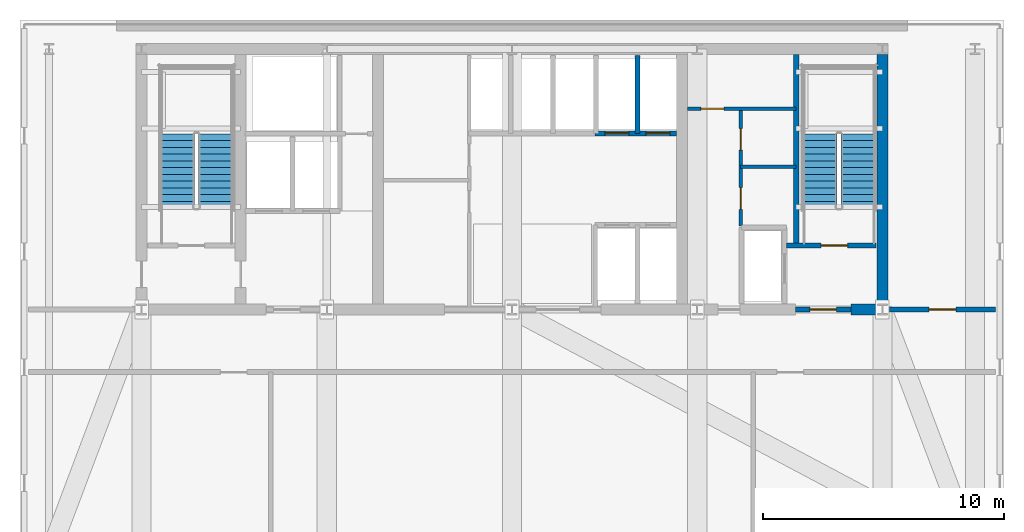
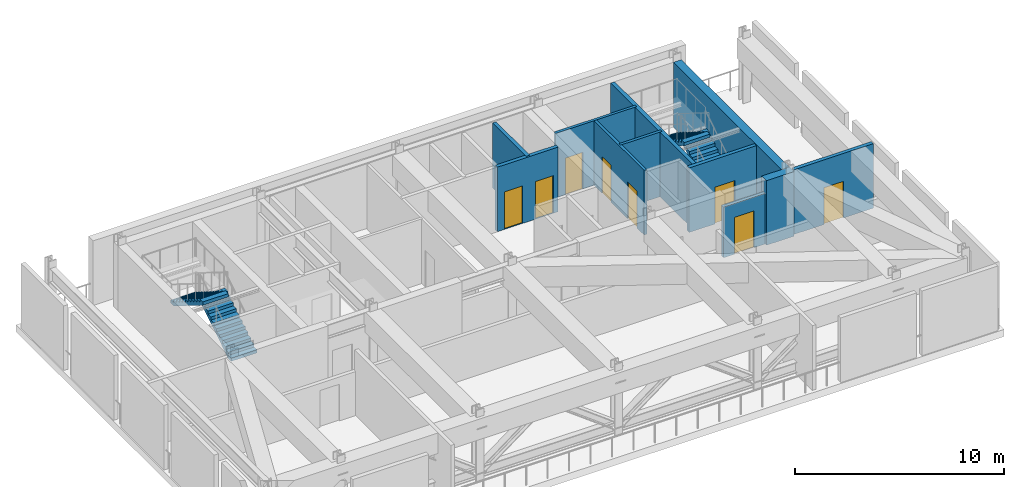
# One storey, part 3 of 8: 11 walls, 8 doors, 4 stair flights, 8 openings, 2 elements without a shape of their own.
"""IFC4 building model written with IfcOpenShell, lengths in metres."""

from ifc_helpers import new_model, si_unit, direction, frame, frame_2d, origin, place, context, subcontext, project, spatial, polyline, rectangle, outline, extrude, material, layer, layer_set, type_object, element, fill, aggregate, save


model = new_model("IFC4")

# Units and contexts
model_context = context("Model", 3, precision=1e-05, world=origin(), true_north=direction((0.0, 1.0)))
body_context = subcontext(model_context, "Body", "Model", "MODEL_VIEW")
ifc_project = project(units=[si_unit("LENGTHUNIT", "METRE"), si_unit("AREAUNIT", "SQUARE_METRE"), si_unit("VOLUMEUNIT", "CUBIC_METRE"), si_unit("PLANEANGLEUNIT", "RADIAN"), si_unit("MASSUNIT", "GRAM", prefix="KILO")], contexts=[model_context])

# Site, building, storey
site_placement = place(None, origin())
site = spatial("IfcSite", under=ifc_project, at=site_placement, CompositionType="ELEMENT")
building_placement = place(site_placement, origin())
building = spatial("IfcBuilding", under=site, at=building_placement, Name="Yelkora Congress Tower", CompositionType="ELEMENT")
storey_placement = place(building_placement, frame((0.0, 0.0, 200.300048828125)))
storey = spatial("IfcBuildingStorey", under=building, at=storey_placement, Name="L55", CompositionType="ELEMENT", Elevation=200.300048828125)

# Walls
ifc_material_1 = material(Name="Concrete C50/60", Category="concrete")
ifc_layer_1 = layer(ifc_material_1, 0.219970703125)
ifc_layer_set_1 = layer_set([ifc_layer_1], Name="Concrete C50/60")
wall_type_1 = type_object("IfcWallType", Name="WALL-CORE-INT-220", PredefinedType="SHEAR", material=ifc_layer_set_1)
wall_1_placement = place(storey_placement, frame((50.179931640625, 38.050048828125, 0.0), z_axis=(0.0, 0.0, 1.0), x_axis=(0.0, 1.0, 0.0)))
element("IfcWall", 1, at=wall_1_placement, inside=storey, type_object=wall_type_1, Name="L55 ST02 West Stair Shear Wall", PredefinedType="SHEAR", context=body_context, shape_type="SweptSolid", body=[
    extrude(rectangle(XDim=7.925048828125, YDim=0.219970703125, at=frame_2d((3.96240234375, 0.0))), origin(), (0.0, 0.0, 1.0), 3.780029296875),
])
ifc_material_2 = material(Name="Concrete C60/75", Category="concrete")
ifc_layer_2 = layer(ifc_material_2, 0.449951171875)
ifc_layer_set_2 = layer_set([ifc_layer_2], Name="Concrete C60/75")
wall_type_2 = type_object("IfcWallType", Name="WALL-CORE-INT-450", PredefinedType="SHEAR", material=ifc_layer_set_2)
wall_2_placement = place(storey_placement, frame((52.449951171875, 35.39990234375, 0.0), z_axis=(0.0, 0.0, 1.0), x_axis=(1.0, 0.0, 0.0)))
element("IfcWall", 2, at=wall_2_placement, inside=storey, type_object=wall_type_2, Name="L55 Rear Core South-East Shear Wall B", PredefinedType="SHEAR", context=body_context, shape_type="SweptSolid", body=[
    extrude(rectangle(XDim=1.53515625, YDim=0.449951171875, at=frame_2d((0.767578125, 0.0))), origin(), (0.0, 0.0, 1.0), 3.780029296875),
])
wall_3_placement = place(storey_placement, frame((53.760009765625, 35.625, 0.0), z_axis=(0.0, 0.0, 1.0), x_axis=(0.0, 1.0, 0.0)))
element("IfcWall", 3, at=wall_3_placement, inside=storey, type_object=wall_type_2, Name="L55 Rear Core Cross Shear Wall E", PredefinedType="SHEAR", context=body_context, shape_type="SweptSolid", body=[
    extrude(rectangle(XDim=10.35009765625, YDim=0.449951171875, at=frame_2d((5.175048828125, 0.0))), origin(), (0.0, 0.0, 1.0), 3.780029296875),
])

# Wall, opening, door
ifc_material_3 = material(Name="Acoustic metal-stud gypsum partition", Category="gypsum")
ifc_layer_3 = layer(ifc_material_3, 0.14990234375)
ifc_layer_set_3 = layer_set([ifc_layer_3], Name="Acoustic metal-stud gypsum partition")
wall_type_3 = type_object("IfcWallType", Name="WALL-INT-150-NR", PredefinedType="PARTITIONING", material=ifc_layer_set_3)
wall_4_placement = place(storey_placement, frame((45.679931640625, 43.719970703125, 0.0), z_axis=(0.0, 0.0, 1.0), x_axis=(1.0, 0.0, 0.0)))
wall_4 = element("IfcWall", 4, at=wall_4_placement, inside=storey, type_object=wall_type_3, Name="L55 Partition Wall 24", PredefinedType="PARTITIONING", context=body_context, shape_type="SweptSolid", body=[
    extrude(rectangle(XDim=4.5, YDim=0.14990234375, at=frame_2d((2.25, 0.0))), origin(), (0.0, 0.0, 1.0), 3.780029296875),
])
opening_1_placement = place(wall_4_placement, frame((0.550048828125, 0.0, 0.0)))
opening_1 = element("IfcOpeningElement", 5, at=opening_1_placement, cuts=wall_4, Name="Opening DR-095N", PredefinedType="OPENING", context=body_context, shape_type="SweptSolid", body=[
    extrude(rectangle(XDim=0.949951171875, YDim=2.14990234375, at=frame_2d((0.47509765625, 1.074951171875))), frame((0.0, 0.0849609375, 0.0), z_axis=(0.0, -1.0, 0.0), x_axis=(1.0, 0.0, 0.0)), (0.0, 0.0, 1.0), 0.169921875),
])
ifc_material_4 = material(Name="Acoustic laminated timber office door", Category="wood")
door_type_1 = type_object("IfcDoorType", Name="DOOR-INT-950", OperationType="NOTDEFINED", PredefinedType="DOOR", material=ifc_material_4)
door_1_placement = place(opening_1_placement, origin())
door_1 = element("IfcDoor", 6, at=door_1_placement, inside=storey, type_object=door_type_1, Name="L55 Accessible WC Door", OperationType="SINGLE_SWING_RIGHT", OverallHeight=2.14990234375, OverallWidth=0.949951171875, PredefinedType="DOOR", context=body_context, shape_type="SweptSolid", body=[
    extrude(rectangle(XDim=0.949951171875, YDim=2.14990234375, at=frame_2d((0.47509765625, 1.074951171875))), frame((0.0, 0.02490234375, 0.0), z_axis=(0.0, -1.0, 0.0), x_axis=(1.0, 0.0, 0.0)), (0.0, 0.0, 1.0), 0.050048828125),
])
fill(opening_1, door_1)

# Wall
wall_5_placement = place(storey_placement, frame((47.8798828125, 41.320068359375, 0.0), z_axis=(0.0, 0.0, 1.0), x_axis=(1.0, 0.0, 0.0)))
element("IfcWall", 7, at=wall_5_placement, inside=storey, type_object=wall_type_3, Name="L55 Partition Wall 25", PredefinedType="PARTITIONING", context=body_context, shape_type="SweptSolid", body=[
    extrude(rectangle(XDim=2.300048828125, YDim=0.14990234375, at=frame_2d((1.14990234375, 0.0))), origin(), (0.0, 0.0, 1.0), 3.780029296875),
])

# Wall, openings, doors
wall_6_placement = place(storey_placement, frame((47.8798828125, 38.85009765625, 0.0), z_axis=(0.0, 0.0, 1.0), x_axis=(0.0, 1.0, 0.0)))
wall_6 = element("IfcWall", 8, at=wall_6_placement, inside=storey, type_object=wall_type_3, Name="L55 Partition Wall 26", PredefinedType="PARTITIONING", context=body_context, shape_type="SweptSolid", body=[
    extrude(rectangle(XDim=4.869873046875, YDim=0.14990234375, at=frame_2d((2.43505859375, 0.0))), origin(), (0.0, 0.0, 1.0), 3.780029296875),
])
opening_2_placement = place(wall_6_placement, frame((0.699951171875, 0.0, 0.0)))
opening_2 = element("IfcOpeningElement", 9, at=opening_2_placement, cuts=wall_6, Name="Opening DR-090N", PredefinedType="OPENING", context=body_context, shape_type="SweptSolid", body=[
    extrude(rectangle(XDim=0.89990234375, YDim=2.14990234375, at=frame_2d((0.449951171875, 1.074951171875))), frame((0.0, 0.0849609375, 0.0), z_axis=(0.0, -1.0, 0.0), x_axis=(1.0, 0.0, 0.0)), (0.0, 0.0, 1.0), 0.169921875),
])
opening_3_placement = place(wall_6_placement, frame((3.14990234375, 0.0, 0.0)))
opening_3 = element("IfcOpeningElement", 10, at=opening_3_placement, cuts=wall_6, Name="Opening DR-090N", PredefinedType="OPENING", context=body_context, shape_type="SweptSolid", body=[
    extrude(rectangle(XDim=0.89990234375, YDim=2.14990234375, at=frame_2d((0.449951171875, 1.074951171875))), frame((0.0, 0.0849609375, 0.0), z_axis=(0.0, -1.0, 0.0), x_axis=(1.0, 0.0, 0.0)), (0.0, 0.0, 1.0), 0.169921875),
])
ifc_material_5 = material(Name="Moisture-resistant laminate door leaf", Category="wood")
door_type_2 = type_object("IfcDoorType", Name="DOOR-INT-900", OperationType="NOTDEFINED", PredefinedType="DOOR", material=ifc_material_5)
door_2_placement = place(opening_2_placement, origin())
door_2 = element("IfcDoor", 11, at=door_2_placement, inside=storey, type_object=door_type_2, Name="L55 Male WC Door", OperationType="SINGLE_SWING_LEFT", OverallHeight=2.14990234375, OverallWidth=0.89990234375, PredefinedType="DOOR", context=body_context, shape_type="SweptSolid", body=[
    extrude(rectangle(XDim=0.89990234375, YDim=2.14990234375, at=frame_2d((0.449951171875, 1.074951171875))), frame((0.0, 0.02490234375, 0.0), z_axis=(0.0, -1.0, 0.0), x_axis=(1.0, 0.0, 0.0)), (0.0, 0.0, 1.0), 0.050048828125),
])
fill(opening_2, door_2)
door_3_placement = place(opening_3_placement, origin())
door_3 = element("IfcDoor", 12, at=door_3_placement, inside=storey, type_object=door_type_2, Name="L55 Female WC Door", OperationType="SINGLE_SWING_RIGHT", OverallHeight=2.14990234375, OverallWidth=0.89990234375, PredefinedType="DOOR", context=body_context, shape_type="SweptSolid", body=[
    extrude(rectangle(XDim=0.89990234375, YDim=2.14990234375, at=frame_2d((0.449951171875, 1.074951171875))), frame((0.0, 0.02490234375, 0.0), z_axis=(0.0, -1.0, 0.0), x_axis=(1.0, 0.0, 0.0)), (0.0, 0.0, 1.0), 0.050048828125),
])
fill(opening_3, door_3)

ifc_material_6 = material(Name="Autoclaved aerated concrete blockwork", Category="masonry")
ifc_layer_4 = layer(ifc_material_6, 0.199951171875)
ifc_layer_set_4 = layer_set([ifc_layer_4], Name="Autoclaved aerated concrete blockwork")
wall_type_4 = type_object("IfcWallType", Name="WALL-INT-200-R120", PredefinedType="PARTITIONING", material=ifc_layer_set_4)
wall_7_placement = place(storey_placement, frame((41.85009765625, 42.699951171875, 0.0), z_axis=(0.0, 0.0, 1.0), x_axis=(1.0, 0.0, 0.0)))
wall_7 = element("IfcWall", 13, at=wall_7_placement, inside=storey, type_object=wall_type_4, Name="L55 Partition Wall 14", PredefinedType="PARTITIONING", context=body_context, shape_type="SweptSolid", body=[
    extrude(rectangle(XDim=3.369873046875, YDim=0.199951171875, at=frame_2d((1.68505859375, 0.0))), origin(), (0.0, 0.0, 1.0), 3.780029296875),
])
opening_4_placement = place(wall_7_placement, frame((0.39990234375, 0.0, 0.0)))
opening_4 = element("IfcOpeningElement", 14, at=opening_4_placement, cuts=wall_7, Name="Opening LD-PS10", PredefinedType="OPENING", context=body_context, shape_type="SweptSolid", body=[
    extrude(rectangle(XDim=1.0, YDim=2.199951171875, at=frame_2d((0.5, 1.10009765625))), frame((0.0, 0.10986328125, 0.0), z_axis=(0.0, -1.0, 0.0), x_axis=(1.0, 0.0, 0.0)), (0.0, 0.0, 1.0), 0.219970703125),
])
opening_5_placement = place(wall_7_placement, frame((2.10009765625, 0.0, 0.0)))
opening_5 = element("IfcOpeningElement", 15, at=opening_5_placement, cuts=wall_7, Name="Opening LD-PS10", PredefinedType="OPENING", context=body_context, shape_type="SweptSolid", body=[
    extrude(rectangle(XDim=1.0, YDim=2.199951171875, at=frame_2d((0.5, 1.10009765625))), frame((0.0, 0.10986328125, 0.0), z_axis=(0.0, -1.0, 0.0), x_axis=(1.0, 0.0, 0.0)), (0.0, 0.0, 1.0), 0.219970703125),
])
ifc_material_7 = material(Name="Champagne stainless steel landing door", Category="steel")
door_type_3 = type_object("IfcDoorType", Name="DOOR-LIFT-PAS-1000", OperationType="DOUBLE_DOOR_SLIDING", PredefinedType="DOOR", material=ifc_material_7)
door_4_placement = place(opening_4_placement, origin())
door_4 = element("IfcDoor", 16, at=door_4_placement, inside=storey, type_object=door_type_3, Name="Lift Landing Door LF-P7 L55", OperationType="DOUBLE_DOOR_SLIDING", OverallHeight=2.199951171875, OverallWidth=1.0, PredefinedType="DOOR", context=body_context, shape_type="SweptSolid", body=[
    extrude(rectangle(XDim=1.0, YDim=2.199951171875, at=frame_2d((0.5, 1.10009765625))), frame((0.0, 0.02490234375, 0.0), z_axis=(0.0, -1.0, 0.0), x_axis=(1.0, 0.0, 0.0)), (0.0, 0.0, 1.0), 0.050048828125),
])
fill(opening_4, door_4)
door_5_placement = place(opening_5_placement, origin())
door_5 = element("IfcDoor", 17, at=door_5_placement, inside=storey, type_object=door_type_3, Name="Lift Landing Door LF-P8 L55", OperationType="DOUBLE_DOOR_SLIDING", OverallHeight=2.199951171875, OverallWidth=1.0, PredefinedType="DOOR", context=body_context, shape_type="SweptSolid", body=[
    extrude(rectangle(XDim=1.0, YDim=2.199951171875, at=frame_2d((0.5, 1.10009765625))), frame((0.0, 0.02490234375, 0.0), z_axis=(0.0, -1.0, 0.0), x_axis=(1.0, 0.0, 0.0)), (0.0, 0.0, 1.0), 0.050048828125),
])
fill(opening_5, door_5)

# Wall
wall_8_placement = place(storey_placement, frame((43.60009765625, 42.699951171875, 0.0), z_axis=(0.0, 0.0, 1.0), x_axis=(0.0, 1.0, 0.0)))
element("IfcWall", 18, at=wall_8_placement, inside=storey, type_object=wall_type_4, Name="L55 Partition Wall 16", PredefinedType="PARTITIONING", context=body_context, shape_type="SweptSolid", body=[
    extrude(rectangle(XDim=3.219970703125, YDim=0.199951171875, at=frame_2d((1.60986328125, 0.0))), origin(), (0.0, 0.0, 1.0), 3.780029296875),
])

# Wall, opening, door
wall_9_placement = place(storey_placement, frame((49.780029296875, 38.050048828125, 0.0), z_axis=(0.0, 0.0, 1.0), x_axis=(1.0, 0.0, 0.0)))
wall_9 = element("IfcWall", 19, at=wall_9_placement, inside=storey, type_object=wall_type_4, Name="L55 Stair ST-02 Enclosure Wall", PredefinedType="PARTITIONING", context=body_context, shape_type="SweptSolid", body=[
    extrude(rectangle(XDim=3.719970703125, YDim=0.199951171875, at=frame_2d((1.85986328125, 0.0))), origin(), (0.0, 0.0, 1.0), 3.780029296875),
])
opening_6_placement = place(wall_9_placement, frame((1.436279296875, 0.0, 0.0)))
opening_6 = element("IfcOpeningElement", 20, at=opening_6_placement, cuts=wall_9, Name="Opening DR-110F9", PredefinedType="OPENING", context=body_context, shape_type="SweptSolid", body=[
    extrude(rectangle(XDim=1.10009765625, YDim=2.14990234375, at=frame_2d((0.550048828125, 1.074951171875))), frame((0.0, 0.10986328125, 0.0), z_axis=(0.0, -1.0, 0.0), x_axis=(1.0, 0.0, 0.0)), (0.0, 0.0, 1.0), 0.219970703125),
])
ifc_material_8 = material(Name="Galvanised steel fire door leaf", Category="steel")
door_type_4 = type_object("IfcDoorType", Name="DOOR-FD90-1100", OperationType="NOTDEFINED", PredefinedType="DOOR", material=ifc_material_8)
door_6_placement = place(opening_6_placement, origin())
door_6 = element("IfcDoor", 21, at=door_6_placement, inside=storey, type_object=door_type_4, Name="L55 Stair ST-02 Entry Door", OperationType="SINGLE_SWING_LEFT", OverallHeight=2.14990234375, OverallWidth=1.10009765625, PredefinedType="DOOR", context=body_context, shape_type="SweptSolid", body=[
    extrude(rectangle(XDim=1.10009765625, YDim=2.14990234375, at=frame_2d((0.550048828125, 1.074951171875))), frame((0.0, 0.02490234375, 0.0), z_axis=(0.0, -1.0, 0.0), x_axis=(1.0, 0.0, 0.0)), (0.0, 0.0, 1.0), 0.050048828125),
])
fill(opening_6, door_6)

wall_10_placement = place(storey_placement, frame((50.14990234375, 35.39990234375, 0.0), z_axis=(0.0, 0.0, 1.0), x_axis=(1.0, 0.0, 0.0)))
wall_10 = element("IfcWall", 22, at=wall_10_placement, inside=storey, type_object=wall_type_4, Name="L55 Partition Wall 20", PredefinedType="PARTITIONING", context=body_context, shape_type="SweptSolid", body=[
    extrude(rectangle(XDim=2.300048828125, YDim=0.199951171875, at=frame_2d((1.14990234375, 0.0))), origin(), (0.0, 0.0, 1.0), 2.9609375),
])
opening_7_placement = place(wall_10_placement, frame((0.60009765625, 0.0, 0.0)))
opening_7 = element("IfcOpeningElement", 23, at=opening_7_placement, cuts=wall_10, Name="Opening DR-110F9", PredefinedType="OPENING", context=body_context, shape_type="SweptSolid", body=[
    extrude(rectangle(XDim=1.10009765625, YDim=2.14990234375, at=frame_2d((0.550048828125, 1.074951171875))), frame((0.0, 0.10986328125, 0.0), z_axis=(0.0, -1.0, 0.0), x_axis=(1.0, 0.0, 0.0)), (0.0, 0.0, 1.0), 0.219970703125),
])
door_7_placement = place(opening_7_placement, origin())
door_7 = element("IfcDoor", 24, at=door_7_placement, inside=storey, type_object=door_type_4, Name="L55 East Stair Lobby Door", OperationType="SINGLE_SWING_RIGHT", OverallHeight=2.14990234375, OverallWidth=1.10009765625, PredefinedType="DOOR", context=body_context, shape_type="SweptSolid", body=[
    extrude(rectangle(XDim=1.10009765625, YDim=2.14990234375, at=frame_2d((0.550048828125, 1.074951171875))), frame((0.0, 0.02490234375, 0.0), z_axis=(0.0, -1.0, 0.0), x_axis=(1.0, 0.0, 0.0)), (0.0, 0.0, 1.0), 0.050048828125),
])
fill(opening_7, door_7)

wall_11_placement = place(storey_placement, frame((54.050048828125, 35.39990234375, 0.0), z_axis=(0.0, 0.0, 1.0), x_axis=(1.0, 0.0, 0.0)))
wall_11 = element("IfcWall", 25, at=wall_11_placement, inside=storey, type_object=wall_type_4, Name="L55 Partition Wall 28", PredefinedType="PARTITIONING", context=body_context, shape_type="SweptSolid", body=[
    extrude(rectangle(XDim=4.39990234375, YDim=0.199951171875, at=frame_2d((2.199951171875, 0.0))), origin(), (0.0, 0.0, 1.0), 3.780029296875),
])
opening_8_placement = place(wall_11_placement, frame((1.64990234375, 0.0, 0.0)))
opening_8 = element("IfcOpeningElement", 26, at=opening_8_placement, cuts=wall_11, Name="Opening DR-110F9", PredefinedType="OPENING", context=body_context, shape_type="SweptSolid", body=[
    extrude(rectangle(XDim=1.10009765625, YDim=2.14990234375, at=frame_2d((0.550048828125, 1.074951171875))), frame((0.0, 0.10986328125, 0.0), z_axis=(0.0, -1.0, 0.0), x_axis=(1.0, 0.0, 0.0)), (0.0, 0.0, 1.0), 0.219970703125),
])
door_8_placement = place(opening_8_placement, origin())
door_8 = element("IfcDoor", 27, at=door_8_placement, inside=storey, type_object=door_type_4, Name="L55 Interior Door 19", OperationType="SINGLE_SWING_LEFT", OverallHeight=2.14990234375, OverallWidth=1.10009765625, PredefinedType="DOOR", context=body_context, shape_type="SweptSolid", body=[
    extrude(rectangle(XDim=1.10009765625, YDim=2.14990234375, at=frame_2d((0.550048828125, 1.074951171875))), frame((0.0, 0.02490234375, 0.0), z_axis=(0.0, -1.0, 0.0), x_axis=(1.0, 0.0, 0.0)), (0.0, 0.0, 1.0), 0.050048828125),
])
fill(opening_8, door_8)

# Stair, stair flights
ifc_material_9 = material(Name="Concrete C40/50", Category="concrete")
stair_type = type_object("IfcStairType", Name="STAIR-HT-1420-R24-175", PredefinedType="HALF_TURN_STAIR", material=ifc_material_9)
stair_1_placement = place(storey_placement, origin())
stair_1 = element("IfcStair", 28, at=stair_1_placement, inside=storey, type_object=stair_type, Name="West Core Protected Exit Stair ST-01 (L55)", PredefinedType="HALF_TURN_STAIR")
stair_flight_type = type_object("IfcStairFlightType", Name="FLIGHT-1420-N12-R175-G280", PredefinedType="STRAIGHT", material=ifc_material_9)
stair_flight_1_placement = place(storey_placement, frame((26.110107421875, 39.60009765625, 0.0), z_axis=(0.0, 0.0, 1.0), x_axis=(0.0, 1.0, 0.0)))
stair_flight_1 = element("IfcStairFlight", 29, at=stair_flight_1_placement, type_object=stair_flight_type, Name="ST-01 L55 Flight 1", NumberOfRisers=12, NumberOfTreads=11, PredefinedType="STRAIGHT", RiserHeight=0.175, TreadLength=0.28, context=body_context, shape_type="SweptSolid", body=[
    extrude(outline(polyline([(0.0, 0.0), (0.0, 0.175048828125), (0.280029296875, 0.175048828125), (0.280029296875, 0.35009765625), (0.56005859375, 0.35009765625), (0.56005859375, 0.52490234375), (0.840087890625, 0.52490234375), (0.840087890625, 0.699951171875), (1.1201171875, 0.699951171875), (1.1201171875, 0.875), (1.39990234375, 0.875), (1.39990234375, 1.050048828125), (1.679931640625, 1.050048828125), (1.679931640625, 1.22509765625), (1.9599609375, 1.22509765625), (1.9599609375, 1.39990234375), (2.239990234375, 1.39990234375), (2.239990234375, 1.574951171875), (2.52001953125, 1.574951171875), (2.52001953125, 1.75), (2.800048828125, 1.75), (2.800048828125, 1.925048828125), (3.080078125, 1.925048828125), (3.080078125, 2.10009765625), (3.080078125, 1.736328125), (0.3017578125, 0.0), (0.0, 0.0)])), frame((0.0, 0.7099609375, 0.0), z_axis=(0.0, -1.0, 0.0), x_axis=(1.0, 0.0, 0.0)), (0.0, 0.0, 1.0), 1.419921875),
])
stair_flight_2_placement = place(storey_placement, frame((24.530029296875, 42.679931640625, 2.099853515625), z_axis=(0.0, 0.0, 1.0), x_axis=(0.0, -1.0, 0.0)))
stair_flight_2 = element("IfcStairFlight", 30, at=stair_flight_2_placement, type_object=stair_flight_type, Name="ST-01 L55 Flight 2", NumberOfRisers=12, NumberOfTreads=11, PredefinedType="STRAIGHT", RiserHeight=0.175, TreadLength=0.28, context=body_context, shape_type="SweptSolid", body=[
    extrude(outline(polyline([(0.0, 0.0), (0.0, 0.175048828125), (0.280029296875, 0.175048828125), (0.280029296875, 0.35009765625), (0.56005859375, 0.35009765625), (0.56005859375, 0.52490234375), (0.840087890625, 0.52490234375), (0.840087890625, 0.699951171875), (1.1201171875, 0.699951171875), (1.1201171875, 0.875), (1.39990234375, 0.875), (1.39990234375, 1.050048828125), (1.679931640625, 1.050048828125), (1.679931640625, 1.22509765625), (1.9599609375, 1.22509765625), (1.9599609375, 1.39990234375), (2.239990234375, 1.39990234375), (2.239990234375, 1.574951171875), (2.52001953125, 1.574951171875), (2.52001953125, 1.75), (2.800048828125, 1.75), (2.800048828125, 1.925048828125), (3.080078125, 1.925048828125), (3.080078125, 2.10009765625), (3.080078125, 1.736328125), (0.3017578125, 0.0), (0.0, 0.0)])), frame((0.0, 0.7099609375, 0.0), z_axis=(0.0, -1.0, 0.0), x_axis=(1.0, 0.0, 0.0)), (0.0, 0.0, 1.0), 1.419921875),
])
aggregate(stair_1, [stair_flight_1, stair_flight_2])

stair_2_placement = place(storey_placement, origin())
stair_2 = element("IfcStair", 31, at=stair_2_placement, inside=storey, type_object=stair_type, Name="East Core Protected Exit Stair ST-02 (L55)", PredefinedType="HALF_TURN_STAIR")
stair_flight_3_placement = place(storey_placement, frame((52.75, 39.60009765625, 0.0), z_axis=(0.0, 0.0, 1.0), x_axis=(0.0, 1.0, 0.0)))
stair_flight_3 = element("IfcStairFlight", 32, at=stair_flight_3_placement, type_object=stair_flight_type, Name="ST-02 L55 Flight 1", NumberOfRisers=12, NumberOfTreads=11, PredefinedType="STRAIGHT", RiserHeight=0.175, TreadLength=0.28, context=body_context, shape_type="SweptSolid", body=[
    extrude(outline(polyline([(0.0, 0.0), (0.0, 0.175048828125), (0.280029296875, 0.175048828125), (0.280029296875, 0.35009765625), (0.56005859375, 0.35009765625), (0.56005859375, 0.52490234375), (0.840087890625, 0.52490234375), (0.840087890625, 0.699951171875), (1.1201171875, 0.699951171875), (1.1201171875, 0.875), (1.39990234375, 0.875), (1.39990234375, 1.050048828125), (1.679931640625, 1.050048828125), (1.679931640625, 1.22509765625), (1.9599609375, 1.22509765625), (1.9599609375, 1.39990234375), (2.239990234375, 1.39990234375), (2.239990234375, 1.574951171875), (2.52001953125, 1.574951171875), (2.52001953125, 1.75), (2.800048828125, 1.75), (2.800048828125, 1.925048828125), (3.080078125, 1.925048828125), (3.080078125, 2.10009765625), (3.080078125, 1.736328125), (0.3017578125, 0.0), (0.0, 0.0)])), frame((0.0, 0.7099609375, 0.0), z_axis=(0.0, -1.0, 0.0), x_axis=(1.0, 0.0, 0.0)), (0.0, 0.0, 1.0), 1.419921875),
])
stair_flight_4_placement = place(storey_placement, frame((51.169921875, 42.679931640625, 2.099853515625), z_axis=(0.0, 0.0, 1.0), x_axis=(0.0, -1.0, 0.0)))
stair_flight_4 = element("IfcStairFlight", 33, at=stair_flight_4_placement, type_object=stair_flight_type, Name="ST-02 L55 Flight 2", NumberOfRisers=12, NumberOfTreads=11, PredefinedType="STRAIGHT", RiserHeight=0.175, TreadLength=0.28, context=body_context, shape_type="SweptSolid", body=[
    extrude(outline(polyline([(0.0, 0.0), (0.0, 0.175048828125), (0.280029296875, 0.175048828125), (0.280029296875, 0.35009765625), (0.56005859375, 0.35009765625), (0.56005859375, 0.52490234375), (0.840087890625, 0.52490234375), (0.840087890625, 0.699951171875), (1.1201171875, 0.699951171875), (1.1201171875, 0.875), (1.39990234375, 0.875), (1.39990234375, 1.050048828125), (1.679931640625, 1.050048828125), (1.679931640625, 1.22509765625), (1.9599609375, 1.22509765625), (1.9599609375, 1.39990234375), (2.239990234375, 1.39990234375), (2.239990234375, 1.574951171875), (2.52001953125, 1.574951171875), (2.52001953125, 1.75), (2.800048828125, 1.75), (2.800048828125, 1.925048828125), (3.080078125, 1.925048828125), (3.080078125, 2.10009765625), (3.080078125, 1.736328125), (0.3017578125, 0.0), (0.0, 0.0)])), frame((0.0, 0.7099609375, 0.0), z_axis=(0.0, -1.0, 0.0), x_axis=(1.0, 0.0, 0.0)), (0.0, 0.0, 1.0), 1.419921875),
])
aggregate(stair_2, [stair_flight_3, stair_flight_4])

save(model, "model.ifc")
